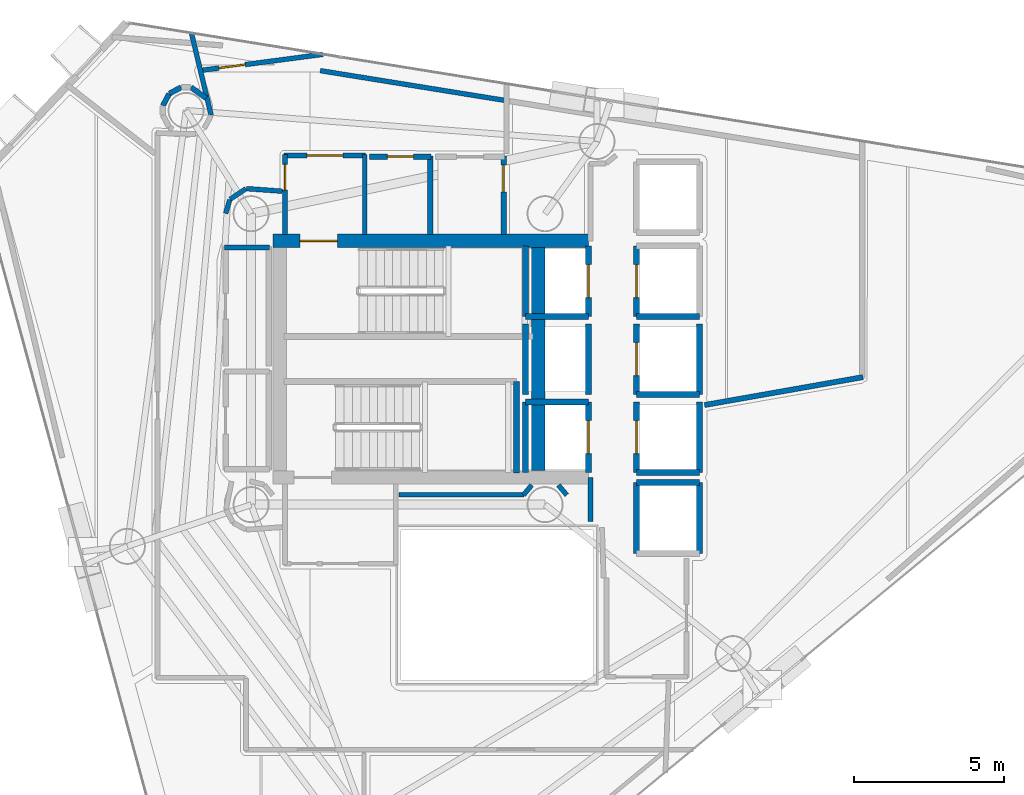
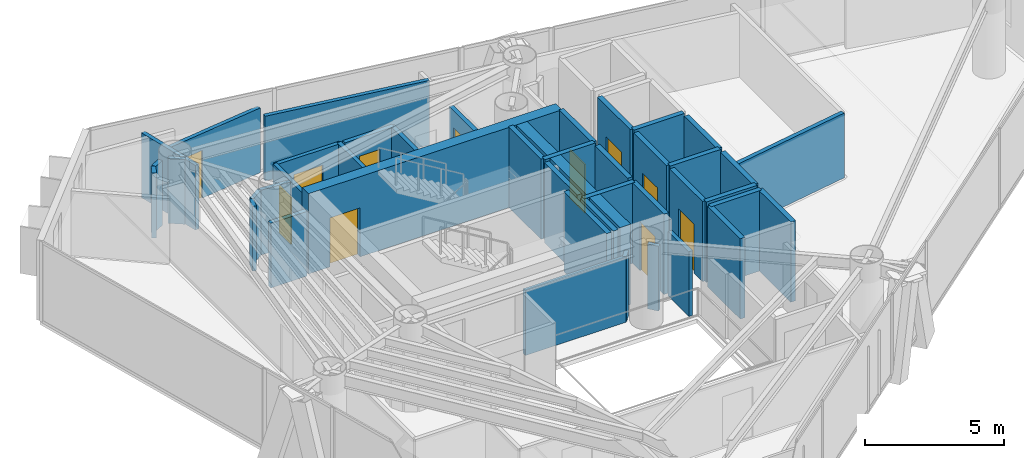
# One storey, part 17 of 21: 43 walls, 11 doors, 11 openings.
"""IFC4 building model written with IfcOpenShell, lengths in metres."""

from ifc_helpers import new_model, si_unit, direction, frame, frame_2d, origin, place, context, subcontext, project, spatial, rectangle, extrude, material, layer, layer_set, type_object, element, fill, save


model = new_model("IFC4")

# Units and contexts
model_context = context("Model", 3, precision=1e-05, world=origin(), true_north=direction((0.0, 1.0)))
body_context = subcontext(model_context, "Body", "Model", "MODEL_VIEW")
ifc_project = project(units=[si_unit("LENGTHUNIT", "METRE"), si_unit("AREAUNIT", "SQUARE_METRE"), si_unit("VOLUMEUNIT", "CUBIC_METRE"), si_unit("PLANEANGLEUNIT", "RADIAN"), si_unit("MASSUNIT", "GRAM", prefix="KILO")], contexts=[model_context])

# Site, building, storey
site_placement = place(None, origin())
site = spatial("IfcSite", under=ifc_project, at=site_placement, CompositionType="ELEMENT")
building_placement = place(site_placement, origin())
building = spatial("IfcBuilding", under=site, at=building_placement, Name="Qianvela Tower", CompositionType="ELEMENT")
storey_placement = place(building_placement, frame((0.0, 0.0, 211.39990234375)))
storey = spatial("IfcBuildingStorey", under=building, at=storey_placement, Name="L54", CompositionType="ELEMENT", Elevation=211.39990234375)

# Wall, opening, door
ifc_material_1 = material(Name="Concrete C50", Category="concrete")
ifc_layer_1 = layer(ifc_material_1, 0.449951171875)
ifc_layer_set_1 = layer_set([ifc_layer_1], Name="Concrete C50")
wall_type_1 = type_object("IfcWallType", Name="WT-CORE-450", PredefinedType="SHEAR", material=ifc_layer_set_1)
wall_1_placement = place(storey_placement, frame((29.330078125, 32.64501953125, 0.0), z_axis=(0.0, 0.0, 1.0), x_axis=(1.0, 0.0, 0.0)))
wall_1 = element("IfcWall", 1, at=wall_1_placement, inside=storey, type_object=wall_type_1, Name="L54 North Core Shear Wall", PredefinedType="SHEAR", context=body_context, shape_type="SweptSolid", body=[
    extrude(rectangle(XDim=10.52001953125, YDim=0.449951171875, at=frame_2d((5.260009765625, 0.0))), origin(), (0.0, 0.0, 1.0), 3.52001953125),
])
opening_1_placement = place(wall_1_placement, frame((0.89501953125, 0.0, 0.0)))
opening_1 = element("IfcOpeningElement", 2, at=opening_1_placement, cuts=wall_1, Name="Opening D-ST1", PredefinedType="OPENING", context=body_context, shape_type="SweptSolid", body=[
    extrude(rectangle(XDim=1.25, YDim=2.14990234375, at=frame_2d((0.625, 1.074951171875))), frame((0.0, 0.23486328125, 0.0), z_axis=(0.0, -1.0, 0.0), x_axis=(1.0, 0.0, 0.0)), (0.0, 0.0, 1.0), 0.469970703125),
])
ifc_material_2 = material(Name="Galvanised Fire Steel Q355B", Category="steel")
door_type_1 = type_object("IfcDoorType", Name="DT-STAIR-FD90", OperationType="NOTDEFINED", PredefinedType="DOOR", material=ifc_material_2)
door_1_placement = place(opening_1_placement, origin())
door_1 = element("IfcDoor", 3, at=door_1_placement, inside=storey, type_object=door_type_1, Name="L54 Stair ST-1 Exit Door", OperationType="SINGLE_SWING_RIGHT", OverallHeight=2.14990234375, OverallWidth=1.25, PredefinedType="DOOR", context=body_context, shape_type="SweptSolid", body=[
    extrude(rectangle(XDim=1.25, YDim=2.14990234375, at=frame_2d((0.625, 1.074951171875))), frame((0.0, 0.02490234375, 0.0), z_axis=(0.0, -1.0, 0.0), x_axis=(1.0, 0.0, 0.0)), (0.0, 0.0, 1.0), 0.050048828125),
])
fill(opening_1, door_1)

# Wall
wall_2_placement = place(storey_placement, frame((38.179931640625, 24.97998046875, 0.0), z_axis=(0.0, 0.0, 1.0), x_axis=(0.0, 1.0, 0.0)))
element("IfcWall", 4, at=wall_2_placement, inside=storey, type_object=wall_type_1, Name="L54 East Spine Core Shear Wall", PredefinedType="SHEAR", context=body_context, shape_type="SweptSolid", body=[
    extrude(rectangle(XDim=7.43994140625, YDim=0.449951171875, at=frame_2d((3.719970703125, 0.0))), origin(), (0.0, 0.0, 1.0), 3.52001953125),
])

# Wall, opening, door
ifc_material_3 = material(Name="Fire-Rated Gypsum and Concrete Block", Category="concrete")
ifc_layer_2 = layer(ifc_material_3, 0.159912109375)
ifc_layer_set_2 = layer_set([ifc_layer_2], Name="Fire-Rated Gypsum and Concrete Block")
wall_type_2 = type_object("IfcWallType", Name="WT-CORR-160", PredefinedType="PARTITIONING", material=ifc_layer_set_2)
wall_3_placement = place(storey_placement, frame((29.73095703125, 32.85791015625, 0.0), z_axis=(0.0, 0.0, 1.0), x_axis=(0.0, 1.0, 0.0)))
wall_3 = element("IfcWall", 5, at=wall_3_placement, inside=storey, type_object=wall_type_2, Name="L54 Partition 2", PredefinedType="PARTITIONING", context=body_context, shape_type="SweptSolid", body=[
    extrude(rectangle(XDim=2.662109375, YDim=0.159912109375, at=frame_2d((1.3310546875, 0.0))), origin(), (0.0, 0.0, 1.0), 2.840087890625),
])
opening_2_placement = place(wall_3_placement, frame((1.478271484375, 0.0, 0.0)))
opening_2 = element("IfcOpeningElement", 6, at=opening_2_placement, cuts=wall_3, Name="Opening D-LB2", PredefinedType="OPENING", context=body_context, shape_type="SweptSolid", body=[
    extrude(rectangle(XDim=0.860107421875, YDim=2.050048828125, at=frame_2d((0.43017578125, 1.02490234375))), frame((0.0, 0.08984375, 0.0), z_axis=(0.0, -1.0, 0.0), x_axis=(1.0, 0.0, 0.0)), (0.0, 0.0, 1.0), 0.179931640625),
])
ifc_material_4 = material(Name="Insulated Steel Fire Door Q355B", Category="steel")
door_type_2 = type_object("IfcDoorType", Name="DT-LOBBY-FD90-860", OperationType="NOTDEFINED", PredefinedType="DOOR", material=ifc_material_4)
door_2_placement = place(opening_2_placement, origin())
door_2 = element("IfcDoor", 7, at=door_2_placement, inside=storey, type_object=door_type_2, Name="L54 Door L54 Firefighting Lobby North to L54 Floor Corridor", OperationType="SINGLE_SWING_RIGHT", OverallHeight=2.050048828125, OverallWidth=0.860107421875, PredefinedType="DOOR", context=body_context, shape_type="SweptSolid", body=[
    extrude(rectangle(XDim=0.860107421875, YDim=2.050048828125, at=frame_2d((0.43017578125, 1.02490234375))), frame((0.0, 0.02490234375, 0.0), z_axis=(0.0, -1.0, 0.0), x_axis=(1.0, 0.0, 0.0)), (0.0, 0.0, 1.0), 0.050048828125),
])
fill(opening_2, door_2)

wall_4_placement = place(storey_placement, frame((29.699951171875, 35.489013671875, 0.0), z_axis=(0.0, 0.0, 1.0), x_axis=(1.0, 0.0, 0.0)))
wall_4 = element("IfcWall", 8, at=wall_4_placement, inside=storey, type_object=wall_type_2, Name="L54 Partition 3", PredefinedType="PARTITIONING", context=body_context, shape_type="SweptSolid", body=[
    extrude(rectangle(XDim=2.719970703125, YDim=0.159912109375, at=frame_2d((1.35986328125, 0.0))), origin(), (0.0, 0.0, 1.0), 2.840087890625),
])
opening_3_placement = place(wall_4_placement, frame((0.760009765625, 0.0, 0.0)))
opening_3 = element("IfcOpeningElement", 9, at=opening_3_placement, cuts=wall_4, Name="Opening D-LB1", PredefinedType="OPENING", context=body_context, shape_type="SweptSolid", body=[
    extrude(rectangle(XDim=1.199951171875, YDim=2.14990234375, at=frame_2d((0.60009765625, 1.074951171875))), frame((0.0, 0.08984375, 0.0), z_axis=(0.0, -1.0, 0.0), x_axis=(1.0, 0.0, 0.0)), (0.0, 0.0, 1.0), 0.179931640625),
])
ifc_material_5 = material(Name="Glazed Fire-Rated Steel Frame", Category="steel")
door_type_3 = type_object("IfcDoorType", Name="DT-LOBBY-FD90", OperationType="NOTDEFINED", PredefinedType="DOOR", material=ifc_material_5)
door_3_placement = place(opening_3_placement, origin())
door_3 = element("IfcDoor", 10, at=door_3_placement, inside=storey, type_object=door_type_3, Name="L54 Door L54 Firefighting Lobby North to L54 Floor Corridor", OperationType="SINGLE_SWING_RIGHT", OverallHeight=2.14990234375, OverallWidth=1.199951171875, PredefinedType="DOOR", context=body_context, shape_type="SweptSolid", body=[
    extrude(rectangle(XDim=1.199951171875, YDim=2.14990234375, at=frame_2d((0.60009765625, 1.074951171875))), frame((0.0, 0.02490234375, 0.0), z_axis=(0.0, -1.0, 0.0), x_axis=(1.0, 0.0, 0.0)), (0.0, 0.0, 1.0), 0.050048828125),
])
fill(opening_3, door_3)

# Walls
wall_5_placement = place(storey_placement, frame((32.388916015625, 35.52001953125, 0.0), z_axis=(0.0, 0.0, 1.0), x_axis=(0.0, -1.0, 0.0)))
element("IfcWall", 11, at=wall_5_placement, inside=storey, type_object=wall_type_2, Name="L54 Partition 4", PredefinedType="PARTITIONING", context=body_context, shape_type="SweptSolid", body=[
    extrude(rectangle(XDim=2.662109375, YDim=0.159912109375, at=frame_2d((1.3310546875, 0.0))), origin(), (0.0, 0.0, 1.0), 2.840087890625),
])
wall_6_placement = place(storey_placement, frame((39.910888671875, 23.280029296875, 0.0), z_axis=(0.0, 0.0, 1.0), x_axis=(0.0, 1.0, 0.0)))
element("IfcWall", 12, at=wall_6_placement, inside=storey, type_object=wall_type_2, Name="L54 Partition 10", PredefinedType="PARTITIONING", context=body_context, shape_type="SweptSolid", body=[
    extrude(rectangle(XDim=1.47998046875, YDim=0.159912109375, at=frame_2d((0.739990234375, 0.0))), origin(), (0.0, 0.0, 1.0), 2.840087890625),
])
for number, where, z_axis, x_axis, name in (
    (13, (39.12109375, 24.169921875, 0.0), (0.0, 0.0, 1.0), (-0.638008265708, 0.770029514296, 0.0), "L54 Partition 49"),
    (14, (37.953857421875, 24.501708984375, 0.0), (0.0, 0.0, 1.0), (-0.638008265708, -0.770029514296, 0.0), "L54 Partition 52"),
):
    element("IfcWall", number, at=place(storey_placement, frame(where, z_axis=z_axis, x_axis=x_axis)), inside=storey, type_object=wall_type_2, Name=name, PredefinedType="PARTITIONING", context=body_context, shape_type="SweptSolid", body=[
        extrude(rectangle(XDim=0.430908203125, YDim=0.159912109375, at=frame_2d((0.21533203125, 0.0))), origin(), (0.0, 0.0, 1.0), 2.840087890625),
    ])
wall_7_placement = place(storey_placement, frame((37.70263671875, 24.180908203125, 0.0), z_axis=(0.0, 0.0, 1.0), x_axis=(-1.0, 0.0, 0.0)))
element("IfcWall", 15, at=wall_7_placement, inside=storey, type_object=wall_type_2, Name="L54 Partition 53", PredefinedType="PARTITIONING", context=body_context, shape_type="SweptSolid", body=[
    extrude(rectangle(XDim=4.172607421875, YDim=0.159912109375, at=frame_2d((2.08642578125, 0.0))), origin(), (0.0, 0.0, 1.0), 2.840087890625),
])
wall_8_placement = place(storey_placement, frame((27.265380859375, 36.839111328125, 0.0), z_axis=(0.0, 0.0, 1.0), x_axis=(-0.23283070684, 0.972517281056, 0.0)))
element("IfcWall", 16, at=wall_8_placement, inside=storey, type_object=wall_type_2, Name="L54 Partition 54", PredefinedType="PARTITIONING", context=body_context, shape_type="SweptSolid", body=[
    extrude(rectangle(XDim=2.826904296875, YDim=0.159912109375, at=frame_2d((1.41357421875, 0.0))), origin(), (0.0, 0.0, 1.0), 2.840087890625),
])

# Wall, opening, door
wall_9_placement = place(storey_placement, frame((26.871826171875, 38.319091796875, 0.0), z_axis=(0.0, 0.0, 1.0), x_axis=(0.99143171072, 0.130626042501, 0.0)))
wall_9 = element("IfcWall", 17, at=wall_9_placement, inside=storey, type_object=wall_type_2, Name="L54 Partition 55", PredefinedType="PARTITIONING", context=body_context, shape_type="SweptSolid", body=[
    extrude(rectangle(XDim=4.160400390625, YDim=0.159912109375, at=frame_2d((2.080078125, 0.0))), origin(), (0.0, 0.0, 1.0), 2.840087890625),
])
opening_4_placement = place(wall_9_placement, frame((0.650146484375, 0.0, 0.0)))
opening_4 = element("IfcOpeningElement", 18, at=opening_4_placement, cuts=wall_9, Name="Opening D-KT1", PredefinedType="OPENING", context=body_context, shape_type="SweptSolid", body=[
    extrude(rectangle(XDim=0.89990234375, YDim=2.10009765625, at=frame_2d((0.449951171875, 1.050048828125))), frame((0.0, 0.08984375, 0.0), z_axis=(0.0, -1.0, 0.0), x_axis=(1.0, 0.0, 0.0)), (0.0, 0.0, 1.0), 0.179931640625),
])
ifc_material_6 = material(Name="Glazed Timber Kitchen Door", Category="wood")
door_type_4 = type_object("IfcDoorType", Name="DT-KITCH-900", OperationType="NOTDEFINED", PredefinedType="DOOR", material=ifc_material_6)
door_4_placement = place(opening_4_placement, origin())
door_4 = element("IfcDoor", 19, at=door_4_placement, inside=storey, type_object=door_type_4, Name="L54 Door Student Tea Pantry L54-04 to L54 Floor Corridor", OperationType="SINGLE_SWING_RIGHT", OverallHeight=2.10009765625, OverallWidth=0.89990234375, PredefinedType="DOOR", context=body_context, shape_type="SweptSolid", body=[
    extrude(rectangle(XDim=0.89990234375, YDim=2.10009765625, at=frame_2d((0.449951171875, 1.050048828125))), frame((0.0, 0.02490234375, 0.0), z_axis=(0.0, -1.0, 0.0), x_axis=(1.0, 0.0, 0.0)), (0.0, 0.0, 1.0), 0.050048828125),
])
fill(opening_4, door_4)

# Walls
wall_10_placement = place(storey_placement, frame((30.904052734375, 38.3193359375, 0.0), z_axis=(0.0, 0.0, 1.0), x_axis=(0.987265785491, -0.159079441788, 0.0)))
element("IfcWall", 20, at=wall_10_placement, inside=storey, type_object=wall_type_2, Name="L54 Partition 56", PredefinedType="PARTITIONING", context=body_context, shape_type="SweptSolid", body=[
    extrude(rectangle(XDim=6.321533203125, YDim=0.159912109375, at=frame_2d((3.16064453125, 0.0))), origin(), (0.0, 0.0, 1.0), 2.840087890625),
])
wall_11_placement = place(storey_placement, frame((29.64013671875, 34.298583984375, 0.0), z_axis=(0.0, 0.0, 1.0), x_axis=(-0.997392224386, 0.072171675429, 0.0)))
element("IfcWall", 21, at=wall_11_placement, inside=storey, type_object=wall_type_2, Name="L54 Partition 60", PredefinedType="PARTITIONING", context=body_context, shape_type="SweptSolid", body=[
    extrude(rectangle(XDim=1.200927734375, YDim=0.159912109375, at=frame_2d((0.6005859375, 0.0))), origin(), (0.0, 0.0, 1.0), 2.840087890625),
])
wall_12_placement = place(storey_placement, frame((28.4228515625, 34.3798828125, 0.0), z_axis=(0.0, 0.0, 1.0), x_axis=(-0.831571279003, -0.555418047903, 0.0)))
element("IfcWall", 22, at=wall_12_placement, inside=storey, type_object=wall_type_2, Name="L54 Partition 61", PredefinedType="PARTITIONING", context=body_context, shape_type="SweptSolid", body=[
    extrude(rectangle(XDim=0.627685546875, YDim=0.159912109375, at=frame_2d((0.31396484375, 0.0))), origin(), (0.0, 0.0, 1.0), 2.840087890625),
])
wall_13_placement = place(storey_placement, frame((27.888427734375, 34.0146484375, 0.0), z_axis=(0.0, 0.0, 1.0), x_axis=(-0.290263585829, -0.956946733492, 0.0)))
element("IfcWall", 23, at=wall_13_placement, inside=storey, type_object=wall_type_2, Name="L54 Partition 62", PredefinedType="PARTITIONING", context=body_context, shape_type="SweptSolid", body=[
    extrude(rectangle(XDim=0.47607421875, YDim=0.159912109375, at=frame_2d((0.238037109375, 0.0))), origin(), (0.0, 0.0, 1.0), 2.840087890625),
])

# Wall, opening, door
ifc_material_7 = material(Name="Moisture-Resistant Acoustic Plumbing Wall")
ifc_layer_3 = layer(ifc_material_7, 0.175048828125)
ifc_layer_set_3 = layer_set([ifc_layer_3], Name="Moisture-Resistant Acoustic Plumbing Wall")
wall_type_3 = type_object("IfcWallType", Name="WT-PLUMB-175", PredefinedType="PLUMBINGWALL", material=ifc_layer_set_3)
wall_14_placement = place(storey_placement, frame((32.550048828125, 35.448974609375, 0.0), z_axis=(0.0, 0.0, 1.0), x_axis=(1.0, 0.0, 0.0)))
wall_14 = element("IfcWall", 24, at=wall_14_placement, inside=storey, type_object=wall_type_3, Name="L54 Partition 22", PredefinedType="PLUMBINGWALL", context=body_context, shape_type="SweptSolid", body=[
    extrude(rectangle(XDim=2.050048828125, YDim=0.175048828125, at=frame_2d((1.02490234375, 0.0))), origin(), (0.0, 0.0, 1.0), 2.840087890625),
])
opening_5_placement = place(wall_14_placement, frame((0.594970703125, 0.0, 0.0)))
opening_5 = element("IfcOpeningElement", 25, at=opening_5_placement, cuts=wall_14, Name="Opening D-WC1", PredefinedType="OPENING", context=body_context, shape_type="SweptSolid", body=[
    extrude(rectangle(XDim=0.860107421875, YDim=2.050048828125, at=frame_2d((0.43017578125, 1.02490234375))), frame((0.0, 0.097412109375, 0.0), z_axis=(0.0, -1.0, 0.0), x_axis=(1.0, 0.0, 0.0)), (0.0, 0.0, 1.0), 0.195068359375),
])
ifc_material_8 = material(Name="Moisture-Sealed Acoustic Timber Door", Category="wood")
door_type_5 = type_object("IfcDoorType", Name="DT-WC-860", OperationType="NOTDEFINED", PredefinedType="DOOR", material=ifc_material_8)
door_5_placement = place(opening_5_placement, origin())
door_5 = element("IfcDoor", 26, at=door_5_placement, inside=storey, type_object=door_type_5, Name="L54 Door L54 Accessible WC to L54 Floor Corridor", OperationType="SINGLE_SWING_LEFT", OverallHeight=2.050048828125, OverallWidth=0.860107421875, PredefinedType="DOOR", context=body_context, shape_type="SweptSolid", body=[
    extrude(rectangle(XDim=0.860107421875, YDim=2.050048828125, at=frame_2d((0.43017578125, 1.02490234375))), frame((0.0, 0.02490234375, 0.0), z_axis=(0.0, -1.0, 0.0), x_axis=(1.0, 0.0, 0.0)), (0.0, 0.0, 1.0), 0.050048828125),
])
fill(opening_5, door_5)

# Wall
wall_15_placement = place(storey_placement, frame((34.569091796875, 35.47998046875, 0.0), z_axis=(0.0, 0.0, 1.0), x_axis=(0.0, -1.0, 0.0)))
element("IfcWall", 27, at=wall_15_placement, inside=storey, type_object=wall_type_3, Name="L54 Partition 23", PredefinedType="PLUMBINGWALL", context=body_context, shape_type="SweptSolid", body=[
    extrude(rectangle(XDim=2.6220703125, YDim=0.175048828125, at=frame_2d((1.31103515625, 0.0))), origin(), (0.0, 0.0, 1.0), 2.840087890625),
])

# Wall, opening, door
wall_16_placement = place(storey_placement, frame((37.01904296875, 35.47998046875, 0.0), z_axis=(0.0, 0.0, 1.0), x_axis=(0.0, -1.0, 0.0)))
wall_16 = element("IfcWall", 28, at=wall_16_placement, inside=storey, type_object=wall_type_3, Name="L54 Partition 27", PredefinedType="PLUMBINGWALL", context=body_context, shape_type="SweptSolid", body=[
    extrude(rectangle(XDim=2.6220703125, YDim=0.175048828125, at=frame_2d((1.31103515625, 0.0))), origin(), (0.0, 0.0, 1.0), 2.840087890625),
])
opening_6_placement = place(wall_16_placement, frame((0.301025390625, 0.0, 0.0)))
opening_6 = element("IfcOpeningElement", 29, at=opening_6_placement, cuts=wall_16, Name="Opening D-KT1", PredefinedType="OPENING", context=body_context, shape_type="SweptSolid", body=[
    extrude(rectangle(XDim=0.89990234375, YDim=2.10009765625, at=frame_2d((0.449951171875, 1.050048828125))), frame((0.0, 0.097412109375, 0.0), z_axis=(0.0, -1.0, 0.0), x_axis=(1.0, 0.0, 0.0)), (0.0, 0.0, 1.0), 0.195068359375),
])
door_6_placement = place(opening_6_placement, origin())
door_6 = element("IfcDoor", 30, at=door_6_placement, inside=storey, type_object=door_type_4, Name="L54 Door Shared Communal Kitchen L54-03 to L54 Core Tea Pantry", OperationType="SINGLE_SWING_LEFT", OverallHeight=2.10009765625, OverallWidth=0.89990234375, PredefinedType="DOOR", context=body_context, shape_type="SweptSolid", body=[
    extrude(rectangle(XDim=0.89990234375, YDim=2.10009765625, at=frame_2d((0.449951171875, 1.050048828125))), frame((0.0, 0.02490234375, 0.0), z_axis=(0.0, -1.0, 0.0), x_axis=(1.0, 0.0, 0.0)), (0.0, 0.0, 1.0), 0.050048828125),
])
fill(opening_6, door_6)

# Walls
wall_17_placement = place(storey_placement, frame((27.719970703125, 32.4189453125, 0.0), z_axis=(0.0, 0.0, 1.0), x_axis=(1.0, 0.0, 0.0)))
element("IfcWall", 31, at=wall_17_placement, inside=storey, type_object=wall_type_3, Name="L54 Partition 33", PredefinedType="PLUMBINGWALL", context=body_context, shape_type="SweptSolid", body=[
    extrude(rectangle(XDim=1.5, YDim=0.175048828125, at=frame_2d((0.75, 0.0))), origin(), (0.0, 0.0, 1.0), 2.840087890625),
])
wall_18_placement = place(storey_placement, frame((48.99853515625, 28.1015625, 0.0), z_axis=(0.0, 0.0, 1.0), x_axis=(-0.984809658173, -0.173637372619, 0.0)))
element("IfcWall", 32, at=wall_18_placement, inside=storey, type_object=wall_type_3, Name="L54 Partition 115", PredefinedType="PLUMBINGWALL", context=body_context, shape_type="SweptSolid", body=[
    extrude(rectangle(XDim=5.365478515625, YDim=0.175048828125, at=frame_2d((2.6826171875, 0.0))), origin(), (0.0, 0.0, 1.0), 2.840087890625),
])
wall_19_placement = place(storey_placement, frame((27.102294921875, 37.399658203125, 0.0), z_axis=(0.0, 0.0, 1.0), x_axis=(-0.811899066426, 0.583797829678, 0.0)))
element("IfcWall", 33, at=wall_19_placement, inside=storey, type_object=wall_type_3, Name="L54 Partition 117", PredefinedType="PLUMBINGWALL", context=body_context, shape_type="SweptSolid", body=[
    extrude(rectangle(XDim=0.621826171875, YDim=0.175048828125, at=frame_2d((0.31103515625, 0.0))), origin(), (0.0, 0.0, 1.0), 2.840087890625),
])
for number, where, z_axis, x_axis, name in (
    (34, (26.26806640625, 37.7646484375, 0.0), (0.0, 0.0, 1.0), (-0.881923737177, -0.471392110461, 0.0), "L54 Partition 119"),
    (35, (25.8662109375, 37.5439453125, 0.0), (0.0, 0.0, 1.0), (-0.471392110461, -0.881923737177, 0.0), "L54 Partition 120"),
):
    element("IfcWall", number, at=place(storey_placement, frame(where, z_axis=z_axis, x_axis=x_axis)), inside=storey, type_object=wall_type_3, Name=name, PredefinedType="PLUMBINGWALL", context=body_context, shape_type="SweptSolid", body=[
        extrude(rectangle(XDim=0.441162109375, YDim=0.175048828125, at=frame_2d((0.220703125, 0.0))), origin(), (0.0, 0.0, 1.0), 2.840087890625),
    ])
ifc_material_9 = material(Name="Concrete C50", Category="concrete")
ifc_layer_4 = layer(ifc_material_9, 0.199951171875)
ifc_layer_set_4 = layer_set([ifc_layer_4], Name="Concrete C50")
wall_type_4 = type_object("IfcWallType", Name="WT-SHAFT-200", PredefinedType="SOLIDWALL", material=ifc_layer_set_4)
wall_20_placement = place(storey_placement, frame((37.449951171875, 24.89990234375, 0.0), z_axis=(0.0, 0.0, 1.0), x_axis=(0.0, 1.0, 0.0)))
element("IfcWall", 36, at=wall_20_placement, inside=storey, type_object=wall_type_4, Name="L54 Stair ST-2 East Wall", PredefinedType="SOLIDWALL", context=body_context, shape_type="SweptSolid", body=[
    extrude(rectangle(XDim=3.06005859375, YDim=0.199951171875, at=frame_2d((1.530029296875, 0.0))), origin(), (0.0, 0.0, 1.0), 3.52001953125),
])

# Wall, opening, door
wall_21_placement = place(storey_placement, frame((39.85009765625, 30.1201171875, 0.0), z_axis=(0.0, 0.0, 1.0), x_axis=(0.0, 1.0, 0.0)))
wall_21 = element("IfcWall", 37, at=wall_21_placement, inside=storey, type_object=wall_type_4, Name="L54 Lift FL-1 E Shaft Wall", PredefinedType="SOLIDWALL", context=body_context, shape_type="SweptSolid", body=[
    extrude(rectangle(XDim=2.35986328125, YDim=0.199951171875, at=frame_2d((1.179931640625, 0.0))), origin(), (0.0, 0.0, 1.0), 3.52001953125),
])
opening_7_placement = place(wall_21_placement, frame((0.6298828125, 0.0, 0.0)))
opening_7 = element("IfcOpeningElement", 38, at=opening_7_placement, cuts=wall_21, Name="Opening LD-01", PredefinedType="OPENING", context=body_context, shape_type="SweptSolid", body=[
    extrude(rectangle(XDim=1.10009765625, YDim=2.14990234375, at=frame_2d((0.550048828125, 1.074951171875))), frame((0.0, 0.10986328125, 0.0), z_axis=(0.0, -1.0, 0.0), x_axis=(1.0, 0.0, 0.0)), (0.0, 0.0, 1.0), 0.219970703125),
])
ifc_material_10 = material(Name="Brushed Stainless Steel Lift Landing Door", Category="steel")
door_type_6 = type_object("IfcDoorType", Name="DT-LIFT-SLIDE-1100", OperationType="SLIDING_TO_LEFT", PredefinedType="DOOR", material=ifc_material_10)
door_7_placement = place(opening_7_placement, origin())
door_7 = element("IfcDoor", 39, at=door_7_placement, inside=storey, type_object=door_type_6, Name="L54 Lift FL-1 Sliding Landing Door", OperationType="SLIDING_TO_LEFT", OverallHeight=2.14990234375, OverallWidth=1.10009765625, PredefinedType="DOOR", context=body_context, shape_type="SweptSolid", body=[
    extrude(rectangle(XDim=1.10009765625, YDim=2.14990234375, at=frame_2d((0.550048828125, 1.074951171875))), frame((0.0, 0.02490234375, 0.0), z_axis=(0.0, -1.0, 0.0), x_axis=(1.0, 0.0, 0.0)), (0.0, 0.0, 1.0), 0.050048828125),
])
fill(opening_7, door_7)

# Walls
wall_22_placement = place(storey_placement, frame((37.75, 30.1201171875, 0.0), z_axis=(0.0, 0.0, 1.0), x_axis=(0.0, 1.0, 0.0)))
element("IfcWall", 40, at=wall_22_placement, inside=storey, type_object=wall_type_4, Name="L54 Lift FL-1 W Shaft Wall", PredefinedType="SOLIDWALL", context=body_context, shape_type="SweptSolid", body=[
    extrude(rectangle(XDim=2.35986328125, YDim=0.199951171875, at=frame_2d((1.179931640625, 0.0))), origin(), (0.0, 0.0, 1.0), 3.52001953125),
])
wall_23_placement = place(storey_placement, frame((37.75, 30.1201171875, 0.0), z_axis=(0.0, 0.0, 1.0), x_axis=(1.0, 0.0, 0.0)))
element("IfcWall", 41, at=wall_23_placement, inside=storey, type_object=wall_type_4, Name="L54 Lift FL-1 S Shaft Wall", PredefinedType="SOLIDWALL", context=body_context, shape_type="SweptSolid", body=[
    extrude(rectangle(XDim=2.10009765625, YDim=0.199951171875, at=frame_2d((1.050048828125, 0.0))), origin(), (0.0, 0.0, 1.0), 3.52001953125),
])

# Wall, opening, door
wall_24_placement = place(storey_placement, frame((39.85009765625, 24.919921875, 0.0), z_axis=(0.0, 0.0, 1.0), x_axis=(0.0, 1.0, 0.0)))
wall_24 = element("IfcWall", 42, at=wall_24_placement, inside=storey, type_object=wall_type_4, Name="L54 Lift FL-2 E Shaft Wall", PredefinedType="SOLIDWALL", context=body_context, shape_type="SweptSolid", body=[
    extrude(rectangle(XDim=2.360107421875, YDim=0.199951171875, at=frame_2d((1.18017578125, 0.0))), origin(), (0.0, 0.0, 1.0), 3.52001953125),
])
opening_8_placement = place(wall_24_placement, frame((0.6298828125, 0.0, 0.0)))
opening_8 = element("IfcOpeningElement", 43, at=opening_8_placement, cuts=wall_24, Name="Opening LD-01", PredefinedType="OPENING", context=body_context, shape_type="SweptSolid", body=[
    extrude(rectangle(XDim=1.10009765625, YDim=2.14990234375, at=frame_2d((0.550048828125, 1.074951171875))), frame((0.0, 0.10986328125, 0.0), z_axis=(0.0, -1.0, 0.0), x_axis=(1.0, 0.0, 0.0)), (0.0, 0.0, 1.0), 0.219970703125),
])
door_8_placement = place(opening_8_placement, origin())
door_8 = element("IfcDoor", 44, at=door_8_placement, inside=storey, type_object=door_type_6, Name="L54 Lift FL-2 Sliding Landing Door", OperationType="SLIDING_TO_LEFT", OverallHeight=2.14990234375, OverallWidth=1.10009765625, PredefinedType="DOOR", context=body_context, shape_type="SweptSolid", body=[
    extrude(rectangle(XDim=1.10009765625, YDim=2.14990234375, at=frame_2d((0.550048828125, 1.074951171875))), frame((0.0, 0.02490234375, 0.0), z_axis=(0.0, -1.0, 0.0), x_axis=(1.0, 0.0, 0.0)), (0.0, 0.0, 1.0), 0.050048828125),
])
fill(opening_8, door_8)

# Walls
wall_25_placement = place(storey_placement, frame((37.75, 24.919921875, 0.0), z_axis=(0.0, 0.0, 1.0), x_axis=(0.0, 1.0, 0.0)))
element("IfcWall", 45, at=wall_25_placement, inside=storey, type_object=wall_type_4, Name="L54 Lift FL-2 W Shaft Wall", PredefinedType="SOLIDWALL", context=body_context, shape_type="SweptSolid", body=[
    extrude(rectangle(XDim=2.360107421875, YDim=0.199951171875, at=frame_2d((1.18017578125, 0.0))), origin(), (0.0, 0.0, 1.0), 3.52001953125),
])
wall_26_placement = place(storey_placement, frame((37.75, 27.280029296875, 0.0), z_axis=(0.0, 0.0, 1.0), x_axis=(1.0, 0.0, 0.0)))
element("IfcWall", 46, at=wall_26_placement, inside=storey, type_object=wall_type_4, Name="L54 Lift FL-2 N Shaft Wall", PredefinedType="SOLIDWALL", context=body_context, shape_type="SweptSolid", body=[
    extrude(rectangle(XDim=2.10009765625, YDim=0.199951171875, at=frame_2d((1.050048828125, 0.0))), origin(), (0.0, 0.0, 1.0), 3.52001953125),
])

# Wall, opening, door
wall_27_placement = place(storey_placement, frame((41.449951171875, 30.1201171875, 0.0), z_axis=(0.0, 0.0, 1.0), x_axis=(0.0, 1.0, 0.0)))
wall_27 = element("IfcWall", 47, at=wall_27_placement, inside=storey, type_object=wall_type_4, Name="L54 Lift PL-M1 W Shaft Wall", PredefinedType="SOLIDWALL", context=body_context, shape_type="SweptSolid", body=[
    extrude(rectangle(XDim=2.35986328125, YDim=0.199951171875, at=frame_2d((1.179931640625, 0.0))), origin(), (0.0, 0.0, 1.0), 3.52001953125),
])
opening_9_placement = place(wall_27_placement, frame((0.6298828125, 0.0, 0.0)))
opening_9 = element("IfcOpeningElement", 48, at=opening_9_placement, cuts=wall_27, Name="Opening LD-01", PredefinedType="OPENING", context=body_context, shape_type="SweptSolid", body=[
    extrude(rectangle(XDim=1.10009765625, YDim=2.14990234375, at=frame_2d((0.550048828125, 1.074951171875))), frame((0.0, 0.10986328125, 0.0), z_axis=(0.0, -1.0, 0.0), x_axis=(1.0, 0.0, 0.0)), (0.0, 0.0, 1.0), 0.219970703125),
])
door_9_placement = place(opening_9_placement, origin())
door_9 = element("IfcDoor", 49, at=door_9_placement, inside=storey, type_object=door_type_6, Name="L54 Lift PL-M1 Sliding Landing Door", OperationType="SLIDING_TO_LEFT", OverallHeight=2.14990234375, OverallWidth=1.10009765625, PredefinedType="DOOR", context=body_context, shape_type="SweptSolid", body=[
    extrude(rectangle(XDim=1.10009765625, YDim=2.14990234375, at=frame_2d((0.550048828125, 1.074951171875))), frame((0.0, 0.02490234375, 0.0), z_axis=(0.0, -1.0, 0.0), x_axis=(1.0, 0.0, 0.0)), (0.0, 0.0, 1.0), 0.050048828125),
])
fill(opening_9, door_9)

# Walls
wall_28_placement = place(storey_placement, frame((41.449951171875, 30.1201171875, 0.0), z_axis=(0.0, 0.0, 1.0), x_axis=(1.0, 0.0, 0.0)))
element("IfcWall", 50, at=wall_28_placement, inside=storey, type_object=wall_type_4, Name="L54 Lift PL-M1 S Shaft Wall", PredefinedType="SOLIDWALL", context=body_context, shape_type="SweptSolid", body=[
    extrude(rectangle(XDim=2.10009765625, YDim=0.199951171875, at=frame_2d((1.050048828125, 0.0))), origin(), (0.0, 0.0, 1.0), 3.52001953125),
])
wall_29_placement = place(storey_placement, frame((43.550048828125, 27.52001953125, 0.0), z_axis=(0.0, 0.0, 1.0), x_axis=(0.0, 1.0, 0.0)))
element("IfcWall", 51, at=wall_29_placement, inside=storey, type_object=wall_type_4, Name="L54 Lift PL-M2 E Shaft Wall", PredefinedType="SOLIDWALL", context=body_context, shape_type="SweptSolid", body=[
    extrude(rectangle(XDim=2.35986328125, YDim=0.199951171875, at=frame_2d((1.179931640625, 0.0))), origin(), (0.0, 0.0, 1.0), 3.52001953125),
])

# Wall, opening, door
wall_30_placement = place(storey_placement, frame((41.449951171875, 27.52001953125, 0.0), z_axis=(0.0, 0.0, 1.0), x_axis=(0.0, 1.0, 0.0)))
wall_30 = element("IfcWall", 52, at=wall_30_placement, inside=storey, type_object=wall_type_4, Name="L54 Lift PL-M2 W Shaft Wall", PredefinedType="SOLIDWALL", context=body_context, shape_type="SweptSolid", body=[
    extrude(rectangle(XDim=2.35986328125, YDim=0.199951171875, at=frame_2d((1.179931640625, 0.0))), origin(), (0.0, 0.0, 1.0), 3.52001953125),
])
opening_10_placement = place(wall_30_placement, frame((0.6298828125, 0.0, 0.0)))
opening_10 = element("IfcOpeningElement", 53, at=opening_10_placement, cuts=wall_30, Name="Opening LD-01", PredefinedType="OPENING", context=body_context, shape_type="SweptSolid", body=[
    extrude(rectangle(XDim=1.10009765625, YDim=2.14990234375, at=frame_2d((0.550048828125, 1.074951171875))), frame((0.0, 0.10986328125, 0.0), z_axis=(0.0, -1.0, 0.0), x_axis=(1.0, 0.0, 0.0)), (0.0, 0.0, 1.0), 0.219970703125),
])
door_10_placement = place(opening_10_placement, origin())
door_10 = element("IfcDoor", 54, at=door_10_placement, inside=storey, type_object=door_type_6, Name="L54 Lift PL-M2 Sliding Landing Door", OperationType="SLIDING_TO_LEFT", OverallHeight=2.14990234375, OverallWidth=1.10009765625, PredefinedType="DOOR", context=body_context, shape_type="SweptSolid", body=[
    extrude(rectangle(XDim=1.10009765625, YDim=2.14990234375, at=frame_2d((0.550048828125, 1.074951171875))), frame((0.0, 0.02490234375, 0.0), z_axis=(0.0, -1.0, 0.0), x_axis=(1.0, 0.0, 0.0)), (0.0, 0.0, 1.0), 0.050048828125),
])
fill(opening_10, door_10)

# Walls
wall_31_placement = place(storey_placement, frame((41.449951171875, 27.52001953125, 0.0), z_axis=(0.0, 0.0, 1.0), x_axis=(1.0, 0.0, 0.0)))
element("IfcWall", 55, at=wall_31_placement, inside=storey, type_object=wall_type_4, Name="L54 Lift PL-M2 S Shaft Wall", PredefinedType="SOLIDWALL", context=body_context, shape_type="SweptSolid", body=[
    extrude(rectangle(XDim=2.10009765625, YDim=0.199951171875, at=frame_2d((1.050048828125, 0.0))), origin(), (0.0, 0.0, 1.0), 3.52001953125),
])
wall_32_placement = place(storey_placement, frame((43.550048828125, 24.919921875, 0.0), z_axis=(0.0, 0.0, 1.0), x_axis=(0.0, 1.0, 0.0)))
element("IfcWall", 56, at=wall_32_placement, inside=storey, type_object=wall_type_4, Name="L54 Lift PL-M3 E Shaft Wall", PredefinedType="SOLIDWALL", context=body_context, shape_type="SweptSolid", body=[
    extrude(rectangle(XDim=2.360107421875, YDim=0.199951171875, at=frame_2d((1.18017578125, 0.0))), origin(), (0.0, 0.0, 1.0), 3.52001953125),
])

# Wall, opening, door
wall_33_placement = place(storey_placement, frame((41.449951171875, 24.919921875, 0.0), z_axis=(0.0, 0.0, 1.0), x_axis=(0.0, 1.0, 0.0)))
wall_33 = element("IfcWall", 57, at=wall_33_placement, inside=storey, type_object=wall_type_4, Name="L54 Lift PL-M3 W Shaft Wall", PredefinedType="SOLIDWALL", context=body_context, shape_type="SweptSolid", body=[
    extrude(rectangle(XDim=2.360107421875, YDim=0.199951171875, at=frame_2d((1.18017578125, 0.0))), origin(), (0.0, 0.0, 1.0), 3.52001953125),
])
opening_11_placement = place(wall_33_placement, frame((0.6298828125, 0.0, 0.0)))
opening_11 = element("IfcOpeningElement", 58, at=opening_11_placement, cuts=wall_33, Name="Opening LD-01", PredefinedType="OPENING", context=body_context, shape_type="SweptSolid", body=[
    extrude(rectangle(XDim=1.10009765625, YDim=2.14990234375, at=frame_2d((0.550048828125, 1.074951171875))), frame((0.0, 0.10986328125, 0.0), z_axis=(0.0, -1.0, 0.0), x_axis=(1.0, 0.0, 0.0)), (0.0, 0.0, 1.0), 0.219970703125),
])
door_11_placement = place(opening_11_placement, origin())
door_11 = element("IfcDoor", 59, at=door_11_placement, inside=storey, type_object=door_type_6, Name="L54 Lift PL-M3 Sliding Landing Door", OperationType="SLIDING_TO_LEFT", OverallHeight=2.14990234375, OverallWidth=1.10009765625, PredefinedType="DOOR", context=body_context, shape_type="SweptSolid", body=[
    extrude(rectangle(XDim=1.10009765625, YDim=2.14990234375, at=frame_2d((0.550048828125, 1.074951171875))), frame((0.0, 0.02490234375, 0.0), z_axis=(0.0, -1.0, 0.0), x_axis=(1.0, 0.0, 0.0)), (0.0, 0.0, 1.0), 0.050048828125),
])
fill(opening_11, door_11)

# Walls
wall_34_placement = place(storey_placement, frame((41.449951171875, 24.919921875, 0.0), z_axis=(0.0, 0.0, 1.0), x_axis=(1.0, 0.0, 0.0)))
element("IfcWall", 60, at=wall_34_placement, inside=storey, type_object=wall_type_4, Name="L54 Lift PL-M3 S Shaft Wall", PredefinedType="SOLIDWALL", context=body_context, shape_type="SweptSolid", body=[
    extrude(rectangle(XDim=2.10009765625, YDim=0.199951171875, at=frame_2d((1.050048828125, 0.0))), origin(), (0.0, 0.0, 1.0), 3.52001953125),
])
for number, where, z_axis, x_axis, name in (
    (61, (39.85009765625, 27.52001953125, 0.0), (0.0, 0.0, 1.0), (0.0, 1.0, 0.0), "L54 Lift PL-H1 E Shaft Wall"),
    (62, (37.75, 27.52001953125, 0.0), (0.0, 0.0, 1.0), (0.0, 1.0, 0.0), "L54 Lift PL-H1 W Shaft Wall"),
):
    element("IfcWall", number, at=place(storey_placement, frame(where, z_axis=z_axis, x_axis=x_axis)), inside=storey, type_object=wall_type_4, Name=name, PredefinedType="SOLIDWALL", context=body_context, shape_type="SweptSolid", body=[
        extrude(rectangle(XDim=2.35986328125, YDim=0.199951171875, at=frame_2d((1.179931640625, 0.0))), origin(), (0.0, 0.0, 1.0), 3.52001953125),
    ])
for number, where, z_axis, x_axis, name in (
    (63, (43.550048828125, 22.219970703125, 0.0), (0.0, 0.0, 1.0), (0.0, 1.0, 0.0), "L54 Lift PL-H2 E Shaft Wall"),
    (64, (41.449951171875, 22.219970703125, 0.0), (0.0, 0.0, 1.0), (0.0, 1.0, 0.0), "L54 Lift PL-H2 W Shaft Wall"),
):
    element("IfcWall", number, at=place(storey_placement, frame(where, z_axis=z_axis, x_axis=x_axis)), inside=storey, type_object=wall_type_4, Name=name, PredefinedType="SOLIDWALL", context=body_context, shape_type="SweptSolid", body=[
        extrude(rectangle(XDim=2.360107421875, YDim=0.199951171875, at=frame_2d((1.18017578125, 0.0))), origin(), (0.0, 0.0, 1.0), 3.52001953125),
    ])
wall_35_placement = place(storey_placement, frame((41.449951171875, 24.580078125, 0.0), z_axis=(0.0, 0.0, 1.0), x_axis=(1.0, 0.0, 0.0)))
element("IfcWall", 65, at=wall_35_placement, inside=storey, type_object=wall_type_4, Name="L54 Lift PL-H2 N Shaft Wall", PredefinedType="SOLIDWALL", context=body_context, shape_type="SweptSolid", body=[
    extrude(rectangle(XDim=2.10009765625, YDim=0.199951171875, at=frame_2d((1.050048828125, 0.0))), origin(), (0.0, 0.0, 1.0), 3.52001953125),
])

save(model, "model.ifc")
